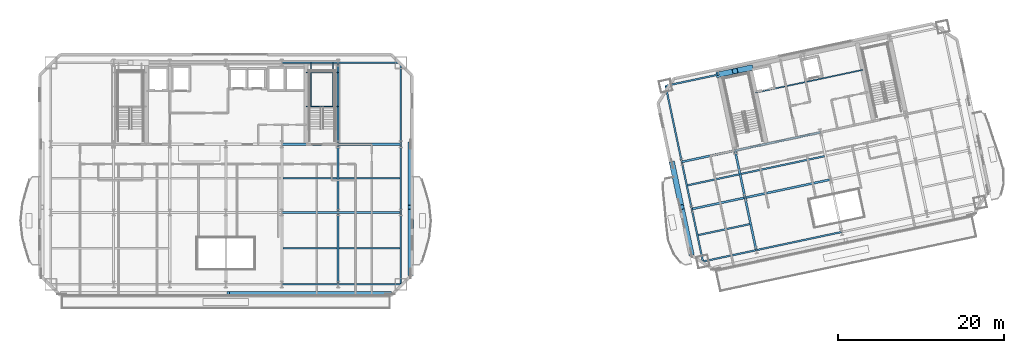
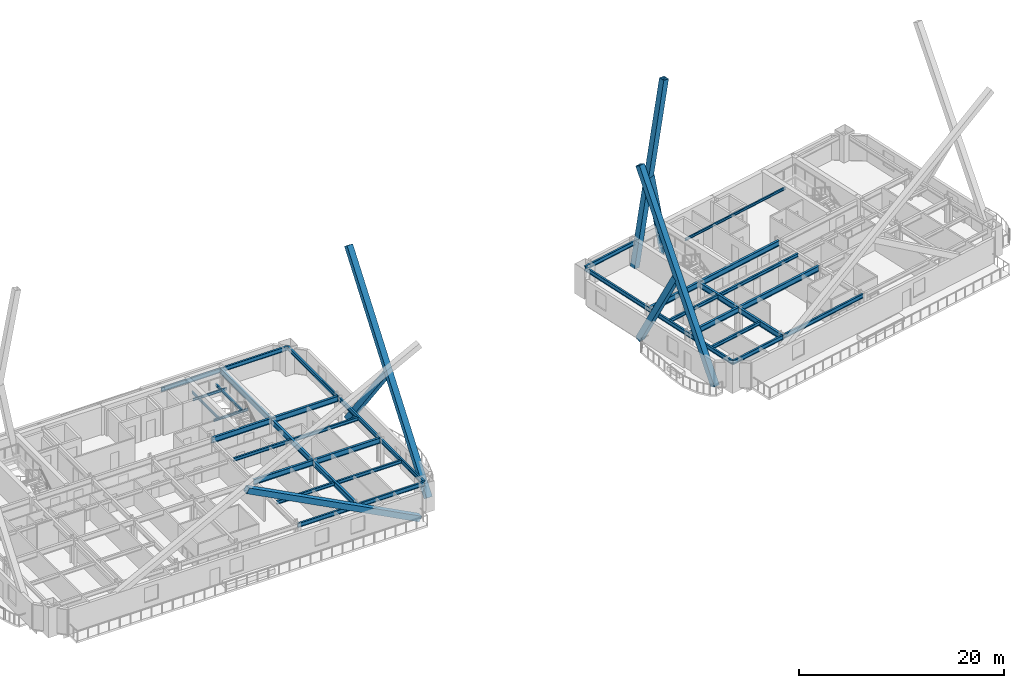
# One storey, part 5 of 22: 38 beams, 7 members.
"""IFC4 building model written with IfcOpenShell, lengths in metres."""

from ifc_helpers import new_model, si_unit, direction, frame, origin, origin_2d, place, context, subcontext, project, spatial, hollow_rectangle, i_section, extrude, material, material_profile, profile_set, type_object, element, save


model = new_model("IFC4")

# Units and contexts
model_context = context("Model", 3, precision=1e-05, world=origin(), true_north=direction((0.0, 1.0)))
body_context = subcontext(model_context, "Body", "Model", "MODEL_VIEW")
ifc_project = project(units=[si_unit("LENGTHUNIT", "METRE"), si_unit("AREAUNIT", "SQUARE_METRE"), si_unit("VOLUMEUNIT", "CUBIC_METRE"), si_unit("PLANEANGLEUNIT", "RADIAN"), si_unit("MASSUNIT", "GRAM", prefix="KILO")], contexts=[model_context])

# Site, building, storey
site_placement = place(None, origin())
site = spatial("IfcSite", under=ifc_project, at=site_placement, CompositionType="ELEMENT")
building_placement = place(site_placement, origin())
building = spatial("IfcBuilding", under=site, at=building_placement, Name="Haevon Station Towers", CompositionType="ELEMENT")
storey_placement = place(building_placement, frame((0.0, 0.0, 113.10009765625)))
storey = spatial("IfcBuildingStorey", under=building, at=storey_placement, Name="L30", CompositionType="ELEMENT", Elevation=113.10009765625)

# Beams
ifc_material_1 = material(Name="Steel S355", Category="steel")
ifc_material_profile_1 = material_profile(ifc_material_1, i_section(OverallWidth=0.25, OverallDepth=0.64990234375, WebThickness=0.012939453125, FlangeThickness=0.02197265625, at=origin_2d()), Name="H-650x250x13x22")
ifc_profile_set_1 = profile_set([ifc_material_profile_1], Name="Steel S355")
beam_type_1 = type_object("IfcBeamType", Name="BM-G650", PredefinedType="BEAM", material=ifc_profile_set_1)
beam_1_placement = place(storey_placement, frame((44.25, 30.0, 2.724853515625), z_axis=(1.0, 0.0, 0.0), x_axis=(0.0, 1.0, 0.0)))
element("IfcBeam", 1, at=beam_1_placement, inside=storey, type_object=beam_type_1, Name="BM-T1U-L30-02-05", PredefinedType="BEAM", context=body_context, shape_type="SweptSolid", body=[
    extrude(i_section(OverallWidth=0.25, OverallDepth=0.64990234375, WebThickness=0.012939453125, FlangeThickness=0.02197265625, at=origin_2d()), origin(), (0.0, 0.0, 1.0), 6.75),
])
beam_2_placement = place(storey_placement, frame((51.0, 30.0, 2.724853515625), z_axis=(1.0, 0.0, 0.0), x_axis=(0.0, 1.0, 0.0)))
element("IfcBeam", 2, at=beam_2_placement, inside=storey, type_object=beam_type_1, Name="BM-T1U-L30-02-06", PredefinedType="BEAM", context=body_context, shape_type="SweptSolid", body=[
    extrude(i_section(OverallWidth=0.25, OverallDepth=0.64990234375, WebThickness=0.012939453125, FlangeThickness=0.02197265625, at=origin_2d()), origin(), (0.0, 0.0, 1.0), 7.550048828125),
])
beam_3_placement = place(storey_placement, frame((44.25, 38.199951171875, 2.724853515625), z_axis=(1.0, 0.0, 0.0), x_axis=(0.0, 1.0, 0.0)))
element("IfcBeam", 3, at=beam_3_placement, inside=storey, type_object=beam_type_1, Name="BM-T1U-L30-03-05", PredefinedType="BEAM", context=body_context, shape_type="SweptSolid", body=[
    extrude(i_section(OverallWidth=0.25, OverallDepth=0.64990234375, WebThickness=0.012939453125, FlangeThickness=0.02197265625, at=origin_2d()), origin(), (0.0, 0.0, 1.0), 6.75),
])
beam_4_placement = place(storey_placement, frame((51.0, 38.199951171875, 2.724853515625), z_axis=(1.0, 0.0, 0.0), x_axis=(0.0, 1.0, 0.0)))
element("IfcBeam", 4, at=beam_4_placement, inside=storey, type_object=beam_type_1, Name="BM-T1U-L30-03-06", PredefinedType="BEAM", context=body_context, shape_type="SweptSolid", body=[
    extrude(i_section(OverallWidth=0.25, OverallDepth=0.64990234375, WebThickness=0.012939453125, FlangeThickness=0.02197265625, at=origin_2d()), origin(), (0.0, 0.0, 1.0), 7.550048828125),
])
beam_5_placement = place(storey_placement, frame((51.0, 21.35009765625, 2.724853515625), z_axis=(0.0, 1.0, 0.0), x_axis=(-1.0, 0.0, 0.0)))
element("IfcBeam", 5, at=beam_5_placement, inside=storey, type_object=beam_type_1, Name="BM-T1V-L30-06-01", PredefinedType="BEAM", context=body_context, shape_type="SweptSolid", body=[
    extrude(i_section(OverallWidth=0.25, OverallDepth=0.64990234375, WebThickness=0.012939453125, FlangeThickness=0.02197265625, at=origin_2d()), origin(), (0.0, 0.0, 1.0), 8.64990234375),
])
beam_6_placement = place(storey_placement, frame((51.0, 30.0, 2.724853515625), z_axis=(0.0, 1.0, 0.0), x_axis=(-1.0, 0.0, 0.0)))
element("IfcBeam", 6, at=beam_6_placement, inside=storey, type_object=beam_type_1, Name="BM-T1V-L30-06-02", PredefinedType="BEAM", context=body_context, shape_type="SweptSolid", body=[
    extrude(i_section(OverallWidth=0.25, OverallDepth=0.64990234375, WebThickness=0.012939453125, FlangeThickness=0.02197265625, at=origin_2d()), origin(), (0.0, 0.0, 1.0), 8.199951171875),
])
beam_7_placement = place(storey_placement, frame((51.0, 38.199951171875, 2.724853515625), z_axis=(0.0, 1.0, 0.0), x_axis=(-1.0, 0.0, 0.0)))
element("IfcBeam", 7, at=beam_7_placement, inside=storey, type_object=beam_type_1, Name="BM-T1V-L30-06-03", PredefinedType="BEAM", context=body_context, shape_type="SweptSolid", body=[
    extrude(i_section(OverallWidth=0.25, OverallDepth=0.64990234375, WebThickness=0.012939453125, FlangeThickness=0.02197265625, at=origin_2d()), origin(), (0.0, 0.0, 1.0), 9.800048828125),
])
beam_8_placement = place(storey_placement, frame((93.55126953125, 30.4072265625, 2.724853515625), z_axis=(0.978148524343, 0.207907345532, 0.0), x_axis=(-0.207907345532, 0.978148524343, 0.0)))
element("IfcBeam", 8, at=beam_8_placement, inside=storey, type_object=beam_type_1, Name="BM-T2U-L30-02-01", PredefinedType="BEAM", context=body_context, shape_type="SweptSolid", body=[
    extrude(i_section(OverallWidth=0.25, OverallDepth=0.64990234375, WebThickness=0.012939453125, FlangeThickness=0.02197265625, at=origin_2d()), origin(), (0.0, 0.0, 1.0), 6.550048828125),
])
beam_9_placement = place(storey_placement, frame((99.958251953125, 31.76904296875, 2.724853515625), z_axis=(0.978146794194, 0.207915485254, 0.0), x_axis=(-0.207915485254, 0.978146794194, 0.0)))
element("IfcBeam", 9, at=beam_9_placement, inside=storey, type_object=beam_type_1, Name="BM-T2U-L30-02-02", PredefinedType="BEAM", context=body_context, shape_type="SweptSolid", body=[
    extrude(i_section(OverallWidth=0.25, OverallDepth=0.64990234375, WebThickness=0.012939453125, FlangeThickness=0.02197265625, at=origin_2d()), origin(), (0.0, 0.0, 1.0), 10.5),
])
beam_10_placement = place(storey_placement, frame((92.345458984375, 36.08056640625, 2.724853515625), z_axis=(0.978148524343, 0.207907345532, 0.0), x_axis=(-0.207907345532, 0.978148524343, 0.0)))
element("IfcBeam", 10, at=beam_10_placement, inside=storey, type_object=beam_type_1, Name="BM-T2U-L30-03-01", PredefinedType="BEAM", context=body_context, shape_type="SweptSolid", body=[
    extrude(i_section(OverallWidth=0.25, OverallDepth=0.64990234375, WebThickness=0.012939453125, FlangeThickness=0.02197265625, at=origin_2d()), origin(), (0.0, 0.0, 1.0), 6.550048828125),
])
beam_11_placement = place(storey_placement, frame((98.75244140625, 37.4423828125, 2.724853515625), z_axis=(0.978146794194, 0.207915485254, 0.0), x_axis=(-0.207915485254, 0.978146794194, 0.0)))
element("IfcBeam", 11, at=beam_11_placement, inside=storey, type_object=beam_type_1, Name="BM-T2U-L30-03-02", PredefinedType="BEAM", context=body_context, shape_type="SweptSolid", body=[
    extrude(i_section(OverallWidth=0.25, OverallDepth=0.64990234375, WebThickness=0.012939453125, FlangeThickness=0.02197265625, at=origin_2d()), origin(), (0.0, 0.0, 1.0), 10.5),
])
beam_12_placement = place(storey_placement, frame((101.29931640625, 25.460205078125, 2.724853515625), z_axis=(-0.207923493292, 0.978145091966, 0.0), x_axis=(-0.978145091966, -0.207923493292, 0.0)))
element("IfcBeam", 12, at=beam_12_placement, inside=storey, type_object=beam_type_1, Name="BM-T2V-L30-02-01", PredefinedType="BEAM", context=body_context, shape_type="SweptSolid", body=[
    extrude(i_section(OverallWidth=0.25, OverallDepth=0.64990234375, WebThickness=0.012939453125, FlangeThickness=0.02197265625, at=origin_2d()), origin(), (0.0, 0.0, 1.0), 6.44970703125),
])
beam_13_placement = place(storey_placement, frame((99.958251953125, 31.76904296875, 2.724853515625), z_axis=(-0.207896009217, 0.97815093383, 0.0), x_axis=(-0.97815093383, -0.207896009217, 0.0)))
element("IfcBeam", 13, at=beam_13_placement, inside=storey, type_object=beam_type_1, Name="BM-T2V-L30-02-02", PredefinedType="BEAM", context=body_context, shape_type="SweptSolid", body=[
    extrude(i_section(OverallWidth=0.25, OverallDepth=0.64990234375, WebThickness=0.012939453125, FlangeThickness=0.02197265625, at=origin_2d()), origin(), (0.0, 0.0, 1.0), 5.800048828125),
])
ifc_material_profile_2 = material_profile(ifc_material_1, i_section(OverallWidth=0.199951171875, OverallDepth=0.39990234375, WebThickness=0.008056640625, FlangeThickness=0.012939453125, at=origin_2d()), Name="H-400x200x8x13")
ifc_profile_set_2 = profile_set([ifc_material_profile_2], Name="Steel S355")
beam_type_2 = type_object("IfcBeamType", Name="BM-J400", PredefinedType="JOIST", material=ifc_profile_set_2)
beam_14_placement = place(storey_placement, frame((44.360107421875, 25.675048828125, 2.849853515625), z_axis=(1.0, 0.0, 0.0), x_axis=(0.0, 1.0, 0.0)))
element("IfcBeam", 14, at=beam_14_placement, inside=storey, type_object=beam_type_2, Name="BM-T1J-L30-01-05", PredefinedType="JOIST", context=body_context, shape_type="SweptSolid", body=[
    extrude(i_section(OverallWidth=0.199951171875, OverallDepth=0.39990234375, WebThickness=0.008056640625, FlangeThickness=0.012939453125, at=origin_2d()), origin(), (0.0, 0.0, 1.0), 6.52978515625),
])
beam_15_placement = place(storey_placement, frame((51.110107421875, 25.675048828125, 2.849853515625), z_axis=(1.0, 0.0, 0.0), x_axis=(0.0, 1.0, 0.0)))
element("IfcBeam", 15, at=beam_15_placement, inside=storey, type_object=beam_type_2, Name="BM-T1J-L30-01-06", PredefinedType="JOIST", context=body_context, shape_type="SweptSolid", body=[
    extrude(i_section(OverallWidth=0.199951171875, OverallDepth=0.39990234375, WebThickness=0.008056640625, FlangeThickness=0.012939453125, at=origin_2d()), origin(), (0.0, 0.0, 1.0), 7.329833984375),
])
beam_16_placement = place(storey_placement, frame((44.360107421875, 34.10009765625, 2.849853515625), z_axis=(1.0, 0.0, 0.0), x_axis=(0.0, 1.0, 0.0)))
element("IfcBeam", 16, at=beam_16_placement, inside=storey, type_object=beam_type_2, Name="BM-T1J-L30-02-05", PredefinedType="JOIST", context=body_context, shape_type="SweptSolid", body=[
    extrude(i_section(OverallWidth=0.199951171875, OverallDepth=0.39990234375, WebThickness=0.008056640625, FlangeThickness=0.012939453125, at=origin_2d()), origin(), (0.0, 0.0, 1.0), 6.52978515625),
])
beam_17_placement = place(storey_placement, frame((51.110107421875, 34.10009765625, 2.849853515625), z_axis=(1.0, 0.0, 0.0), x_axis=(0.0, 1.0, 0.0)))
element("IfcBeam", 17, at=beam_17_placement, inside=storey, type_object=beam_type_2, Name="BM-T1J-L30-02-06", PredefinedType="JOIST", context=body_context, shape_type="SweptSolid", body=[
    extrude(i_section(OverallWidth=0.199951171875, OverallDepth=0.39990234375, WebThickness=0.008056640625, FlangeThickness=0.012939453125, at=origin_2d()), origin(), (0.0, 0.0, 1.0), 7.329833984375),
])
beam_18_placement = place(storey_placement, frame((94.32958984375, 27.275634765625, 2.849853515625), z_axis=(0.978144831517, 0.207924718533, 0.0), x_axis=(-0.207924718533, 0.978144831517, 0.0)))
element("IfcBeam", 18, at=beam_18_placement, inside=storey, type_object=beam_type_2, Name="BM-T2J-L30-01-01", PredefinedType="JOIST", context=body_context, shape_type="SweptSolid", body=[
    extrude(i_section(OverallWidth=0.199951171875, OverallDepth=0.39990234375, WebThickness=0.008056640625, FlangeThickness=0.012939453125, at=origin_2d()), origin(), (0.0, 0.0, 1.0), 6.330078125),
])
beam_19_placement = place(storey_placement, frame((93.055908203125, 33.266845703125, 2.849853515625), z_axis=(0.978146498858, 0.207916874669, 0.0), x_axis=(-0.207916874669, 0.978146498858, 0.0)))
element("IfcBeam", 19, at=beam_19_placement, inside=storey, type_object=beam_type_2, Name="BM-T2J-L30-02-01", PredefinedType="JOIST", context=body_context, shape_type="SweptSolid", body=[
    extrude(i_section(OverallWidth=0.199951171875, OverallDepth=0.39990234375, WebThickness=0.008056640625, FlangeThickness=0.012939453125, at=origin_2d()), origin(), (0.0, 0.0, 1.0), 6.330322265625),
])
beam_20_placement = place(storey_placement, frame((99.462890625, 34.628662109375, 2.849853515625), z_axis=(0.978150339653, 0.207898804801, 0.0), x_axis=(-0.207898804801, 0.978150339653, 0.0)))
element("IfcBeam", 20, at=beam_20_placement, inside=storey, type_object=beam_type_2, Name="BM-T2J-L30-02-02", PredefinedType="JOIST", context=body_context, shape_type="SweptSolid", body=[
    extrude(i_section(OverallWidth=0.199951171875, OverallDepth=0.39990234375, WebThickness=0.008056640625, FlangeThickness=0.012939453125, at=origin_2d()), origin(), (0.0, 0.0, 1.0), 10.280029296875),
])
ifc_material_profile_3 = material_profile(ifc_material_1, i_section(OverallWidth=0.14990234375, OverallDepth=0.300048828125, WebThickness=0.006591796875, FlangeThickness=0.009033203125, at=origin_2d()), Name="H-300x150x6.5x9")
ifc_profile_set_3 = profile_set([ifc_material_profile_3], Name="Steel S355")
beam_type_3 = type_object("IfcBeamType", Name="BM-LIN300", PredefinedType="LINTEL", material=ifc_profile_set_3)
for number, where, z_axis, x_axis, name in (
    (21, (47.14990234375, 42.743896484375, 1.2998046875), (1.0, 0.0, 0.0), (0.0, 1.0, 0.0), "BM-ST2L-L30-1-S"),
    (22, (47.14990234375, 46.820068359375, 1.2998046875), (1.0, 0.0, 0.0), (0.0, 1.0, 0.0), "BM-ST2L-L30-1-N"),
):
    element("IfcBeam", number, at=place(storey_placement, frame(where, z_axis=z_axis, x_axis=x_axis)), inside=storey, type_object=beam_type_3, Name=name, PredefinedType="LINTEL", context=body_context, shape_type="SweptSolid", body=[
        extrude(i_section(OverallWidth=0.14990234375, OverallDepth=0.300048828125, WebThickness=0.006591796875, FlangeThickness=0.009033203125, at=origin_2d()), origin(), (0.0, 0.0, 1.0), 3.85009765625),
    ])
for number, where, z_axis, x_axis, name in (
    (23, (47.75, 42.743896484375, 1.2998046875), (0.0, 1.0, 0.0), (-1.0, 0.0, 0.0), "BM-ST2L-L30-1-W"),
    (24, (50.39990234375, 42.743896484375, 1.2998046875), (0.0, 1.0, 0.0), (-1.0, 0.0, 0.0), "BM-ST2L-L30-1-E"),
):
    element("IfcBeam", number, at=place(storey_placement, frame(where, z_axis=z_axis, x_axis=x_axis)), inside=storey, type_object=beam_type_3, Name=name, PredefinedType="LINTEL", context=body_context, shape_type="SweptSolid", body=[
        extrude(i_section(OverallWidth=0.14990234375, OverallDepth=0.300048828125, WebThickness=0.006591796875, FlangeThickness=0.009033203125, at=origin_2d()), origin(), (0.0, 0.0, 1.0), 5.256103515625),
    ])
beam_21_placement = place(storey_placement, frame((101.20849609375, 44.4052734375, 2.89990234375), z_axis=(0.978147802964, 0.207910739399, 0.0), x_axis=(-0.207910739399, 0.978147802964, 0.0)))
element("IfcBeam", 25, at=beam_21_placement, inside=storey, type_object=beam_type_3, Name="BM-T2LIN-L30", PredefinedType="LINTEL", context=body_context, shape_type="SweptSolid", body=[
    extrude(i_section(OverallWidth=0.14990234375, OverallDepth=0.300048828125, WebThickness=0.006591796875, FlangeThickness=0.009033203125, at=origin_2d()), origin(), (0.0, 0.0, 1.0), 13.19970703125),
])
ifc_material_profile_4 = material_profile(ifc_material_1, i_section(OverallWidth=0.199951171875, OverallDepth=0.5, WebThickness=0.010009765625, FlangeThickness=0.01611328125, at=origin_2d()), Name="H-500x200x10x16")
ifc_profile_set_4 = profile_set([ifc_material_profile_4], Name="Steel S355")
beam_type_4 = type_object("IfcBeamType", Name="BM-SP500", PredefinedType="SPANDREL", material=ifc_profile_set_4)
beam_22_placement = place(storey_placement, frame((44.25, 21.35009765625, 2.7998046875), z_axis=(1.0, 0.0, 0.0), x_axis=(0.0, 1.0, 0.0)))
element("IfcBeam", 26, at=beam_22_placement, inside=storey, type_object=beam_type_4, Name="BM-T1U-L30-01-05", PredefinedType="SPANDREL", context=body_context, shape_type="SweptSolid", body=[
    extrude(i_section(OverallWidth=0.199951171875, OverallDepth=0.5, WebThickness=0.010009765625, FlangeThickness=0.01611328125, at=origin_2d()), origin(), (0.0, 0.0, 1.0), 6.75),
])
beam_23_placement = place(storey_placement, frame((51.0, 21.35009765625, 2.7998046875), z_axis=(1.0, 0.0, 0.0), x_axis=(0.0, 1.0, 0.0)))
element("IfcBeam", 27, at=beam_23_placement, inside=storey, type_object=beam_type_4, Name="BM-T1U-L30-01-06", PredefinedType="SPANDREL", context=body_context, shape_type="SweptSolid", body=[
    extrude(i_section(OverallWidth=0.199951171875, OverallDepth=0.5, WebThickness=0.010009765625, FlangeThickness=0.01611328125, at=origin_2d()), origin(), (0.0, 0.0, 1.0), 7.550048828125),
])
beam_24_placement = place(storey_placement, frame((44.25, 48.0, 2.7998046875), z_axis=(1.0, 0.0, 0.0), x_axis=(0.0, 1.0, 0.0)))
element("IfcBeam", 28, at=beam_24_placement, inside=storey, type_object=beam_type_4, Name="BM-T1U-L30-04-05", PredefinedType="SPANDREL", context=body_context, shape_type="SweptSolid", body=[
    extrude(i_section(OverallWidth=0.199951171875, OverallDepth=0.5, WebThickness=0.010009765625, FlangeThickness=0.01611328125, at=origin_2d()), origin(), (0.0, 0.0, 1.0), 6.75),
])
beam_25_placement = place(storey_placement, frame((51.0, 48.0, 2.7998046875), z_axis=(1.0, 0.0, 0.0), x_axis=(0.0, 1.0, 0.0)))
element("IfcBeam", 29, at=beam_25_placement, inside=storey, type_object=beam_type_4, Name="BM-T1U-L30-04-06", PredefinedType="SPANDREL", context=body_context, shape_type="SweptSolid", body=[
    extrude(i_section(OverallWidth=0.199951171875, OverallDepth=0.5, WebThickness=0.010009765625, FlangeThickness=0.01611328125, at=origin_2d()), origin(), (0.0, 0.0, 1.0), 7.550048828125),
])
beam_26_placement = place(storey_placement, frame((58.550048828125, 21.35009765625, 2.7998046875), z_axis=(0.0, 1.0, 0.0), x_axis=(-1.0, 0.0, 0.0)))
element("IfcBeam", 30, at=beam_26_placement, inside=storey, type_object=beam_type_4, Name="BM-T1V-L30-07-01", PredefinedType="SPANDREL", context=body_context, shape_type="SweptSolid", body=[
    extrude(i_section(OverallWidth=0.199951171875, OverallDepth=0.5, WebThickness=0.010009765625, FlangeThickness=0.01611328125, at=origin_2d()), origin(), (0.0, 0.0, 1.0), 8.64990234375),
])
beam_27_placement = place(storey_placement, frame((58.550048828125, 30.0, 2.7998046875), z_axis=(0.0, 1.0, 0.0), x_axis=(-1.0, 0.0, 0.0)))
element("IfcBeam", 31, at=beam_27_placement, inside=storey, type_object=beam_type_4, Name="BM-T1V-L30-07-02", PredefinedType="SPANDREL", context=body_context, shape_type="SweptSolid", body=[
    extrude(i_section(OverallWidth=0.199951171875, OverallDepth=0.5, WebThickness=0.010009765625, FlangeThickness=0.01611328125, at=origin_2d()), origin(), (0.0, 0.0, 1.0), 8.199951171875),
])
beam_28_placement = place(storey_placement, frame((58.550048828125, 38.199951171875, 2.7998046875), z_axis=(0.0, 1.0, 0.0), x_axis=(-1.0, 0.0, 0.0)))
element("IfcBeam", 32, at=beam_28_placement, inside=storey, type_object=beam_type_4, Name="BM-T1V-L30-07-03", PredefinedType="SPANDREL", context=body_context, shape_type="SweptSolid", body=[
    extrude(i_section(OverallWidth=0.199951171875, OverallDepth=0.5, WebThickness=0.010009765625, FlangeThickness=0.01611328125, at=origin_2d()), origin(), (0.0, 0.0, 1.0), 9.800048828125),
])
beam_29_placement = place(storey_placement, frame((94.892333984375, 24.098388671875, 2.7998046875), z_axis=(0.978148524343, 0.207907345532, 0.0), x_axis=(-0.207907345532, 0.978148524343, 0.0)))
element("IfcBeam", 33, at=beam_29_placement, inside=storey, type_object=beam_type_4, Name="BM-T2U-L30-01-01", PredefinedType="SPANDREL", context=body_context, shape_type="SweptSolid", body=[
    extrude(i_section(OverallWidth=0.199951171875, OverallDepth=0.5, WebThickness=0.010009765625, FlangeThickness=0.01611328125, at=origin_2d()), origin(), (0.0, 0.0, 1.0), 6.550048828125),
])
beam_30_placement = place(storey_placement, frame((101.29931640625, 25.460205078125, 2.7998046875), z_axis=(0.978151522678, 0.207893238667, 0.0), x_axis=(-0.207893238667, 0.978151522678, 0.0)))
element("IfcBeam", 34, at=beam_30_placement, inside=storey, type_object=beam_type_4, Name="BM-T2U-L30-01-02", PredefinedType="SPANDREL", context=body_context, shape_type="SweptSolid", body=[
    extrude(i_section(OverallWidth=0.199951171875, OverallDepth=0.5, WebThickness=0.010009765625, FlangeThickness=0.01611328125, at=origin_2d()), origin(), (0.0, 0.0, 1.0), 10.5),
])
beam_31_placement = place(storey_placement, frame((90.401611328125, 45.226318359375, 2.7998046875), z_axis=(0.978146913123, 0.207914925745, 0.0), x_axis=(-0.207914925745, 0.978146913123, 0.0)))
element("IfcBeam", 35, at=beam_31_placement, inside=storey, type_object=beam_type_4, Name="BM-T2U-L30-04-01", PredefinedType="SPANDREL", context=body_context, shape_type="SweptSolid", body=[
    extrude(i_section(OverallWidth=0.199951171875, OverallDepth=0.5, WebThickness=0.010009765625, FlangeThickness=0.01611328125, at=origin_2d()), origin(), (0.0, 0.0, 1.0), 6.5498046875),
])
beam_32_placement = place(storey_placement, frame((94.892333984375, 24.098388671875, 2.7998046875), z_axis=(-0.207923493292, 0.978145091966, 0.0), x_axis=(-0.978145091966, -0.207923493292, 0.0)))
element("IfcBeam", 36, at=beam_32_placement, inside=storey, type_object=beam_type_4, Name="BM-T2V-L30-01-01", PredefinedType="SPANDREL", context=body_context, shape_type="SweptSolid", body=[
    extrude(i_section(OverallWidth=0.199951171875, OverallDepth=0.5, WebThickness=0.010009765625, FlangeThickness=0.01611328125, at=origin_2d()), origin(), (0.0, 0.0, 1.0), 6.44970703125),
])
beam_33_placement = place(storey_placement, frame((93.55126953125, 30.4072265625, 2.7998046875), z_axis=(-0.207896009217, 0.97815093383, 0.0), x_axis=(-0.97815093383, -0.207896009217, 0.0)))
element("IfcBeam", 37, at=beam_33_placement, inside=storey, type_object=beam_type_4, Name="BM-T2V-L30-01-02", PredefinedType="SPANDREL", context=body_context, shape_type="SweptSolid", body=[
    extrude(i_section(OverallWidth=0.199951171875, OverallDepth=0.5, WebThickness=0.010009765625, FlangeThickness=0.01611328125, at=origin_2d()), origin(), (0.0, 0.0, 1.0), 5.800048828125),
])
beam_34_placement = place(storey_placement, frame((92.345458984375, 36.08056640625, 2.7998046875), z_axis=(-0.207897167074, 0.978150687738, 0.0), x_axis=(-0.978150687738, -0.207897167074, 0.0)))
element("IfcBeam", 38, at=beam_34_placement, inside=storey, type_object=beam_type_4, Name="BM-T2V-L30-01-03", PredefinedType="SPANDREL", context=body_context, shape_type="SweptSolid", body=[
    extrude(i_section(OverallWidth=0.199951171875, OverallDepth=0.5, WebThickness=0.010009765625, FlangeThickness=0.01611328125, at=origin_2d()), origin(), (0.0, 0.0, 1.0), 9.35009765625),
])

# Members
ifc_material_2 = material(Name="Steel S460", Category="steel")
ifc_material_profile_5 = material_profile(ifc_material_2, hollow_rectangle(XDim=0.64990234375, YDim=0.64990234375, WallThickness=0.031982421875, at=origin_2d()), Name="RHS-650x650x32")
ifc_profile_set_5 = profile_set([ifc_material_profile_5], Name="Steel S460")
member_type = type_object("IfcMemberType", Name="MB-650", PredefinedType="BRACE", material=ifc_profile_set_5)
member_1_placement = place(storey_placement, frame((57.25, 20.179931640625, -0.1201171875), z_axis=(-0.886021047832, 0.0, 0.463645018089), x_axis=(0.0, -1.0, 0.0)))
element("IfcMember", 39, at=member_1_placement, inside=storey, type_object=member_type, Name="BR-T1MB-T04-S-D2A", PredefinedType="BRACE", context=body_context, shape_type="SweptSolid", body=[
    extrude(hollow_rectangle(XDim=0.64990234375, YDim=0.64990234375, WallThickness=0.031982421875, at=origin_2d()), origin(), (0.0, 0.0, 1.0), 21.95361328125),
])
member_2_placement = place(storey_placement, frame((59.719970703125, 22.64990234375, -0.1201171875), z_axis=(0.0, 0.60117729577, 0.799115673136), x_axis=(-1.0, 0.0, 0.0)))
element("IfcMember", 40, at=member_2_placement, inside=storey, type_object=member_type, Name="BR-T1MB-T04-E-D1", PredefinedType="BRACE", context=body_context, shape_type="SweptSolid", body=[
    extrude(hollow_rectangle(XDim=0.64990234375, YDim=0.64990234375, WallThickness=0.031982421875, at=origin_2d()), origin(), (0.0, 0.0, 1.0), 25.865966796875),
])
member_3_placement = place(storey_placement, frame((59.719970703125, 38.199951171875, -0.1201171875), z_axis=(0.0, -0.601168513393, 0.799122280071), x_axis=(1.0, 0.0, 0.0)))
element("IfcMember", 41, at=member_3_placement, inside=storey, type_object=member_type, Name="BR-T1MB-T04-E-D2A", PredefinedType="BRACE", context=body_context, shape_type="SweptSolid", body=[
    extrude(hollow_rectangle(XDim=0.64990234375, YDim=0.64990234375, WallThickness=0.031982421875, at=origin_2d()), origin(), (0.0, 0.0, 1.0), 12.595947265625),
])
member_4_placement = place(storey_placement, frame((96.808349609375, 46.588134765625, -0.1201171875), z_axis=(0.179110290315, 0.038074725572, 0.983091968829), x_axis=(-0.207930804564, 0.978143537786, 0.0)))
element("IfcMember", 42, at=member_4_placement, inside=storey, type_object=member_type, Name="BR-T2MB-T04-N-D1", PredefinedType="BRACE", context=body_context, shape_type="SweptSolid", body=[
    extrude(hollow_rectangle(XDim=0.64990234375, YDim=0.64990234375, WallThickness=0.031982421875, at=origin_2d()), origin(), (0.0, 0.0, 1.0), 21.025390625),
])
member_5_placement = place(storey_placement, frame((100.57421875, 47.388671875, -0.1201171875), z_axis=(-0.179104077988, -0.038076111422, 0.983093046963), x_axis=(0.207944946212, -0.978140531491, 0.0)))
element("IfcMember", 43, at=member_5_placement, inside=storey, type_object=member_type, Name="BR-T2MB-T04-N-D2A", PredefinedType="BRACE", context=body_context, shape_type="SweptSolid", body=[
    extrude(hollow_rectangle(XDim=0.64990234375, YDim=0.64990234375, WallThickness=0.031982421875, at=origin_2d()), origin(), (0.0, 0.0, 1.0), 10.17578125),
])
member_6_placement = place(storey_placement, frame((93.477783203125, 25.126708984375, -0.1201171875), z_axis=(-0.097327742585, 0.457894412327, 0.883662841633), x_axis=(-0.978147913223, -0.207910220665, 0.0)))
element("IfcMember", 44, at=member_6_placement, inside=storey, type_object=member_type, Name="BR-T2MB-T04-W-D1", PredefinedType="BRACE", context=body_context, shape_type="SweptSolid", body=[
    extrude(hollow_rectangle(XDim=0.64990234375, YDim=0.64990234375, WallThickness=0.031982421875, at=origin_2d()), origin(), (0.0, 0.0, 1.0), 23.39111328125),
])
member_7_placement = place(storey_placement, frame((91.201171875, 35.83740234375, -0.1201171875), z_axis=(0.097324376369, -0.457906032278, 0.883657191092), x_axis=(0.978150448466, 0.20789829284, 0.0)))
element("IfcMember", 45, at=member_7_placement, inside=storey, type_object=member_type, Name="BR-T2MB-T04-W-D2A", PredefinedType="BRACE", context=body_context, shape_type="SweptSolid", body=[
    extrude(hollow_rectangle(XDim=0.64990234375, YDim=0.64990234375, WallThickness=0.031982421875, at=origin_2d()), origin(), (0.0, 0.0, 1.0), 11.358642578125),
])

save(model, "model.ifc")
